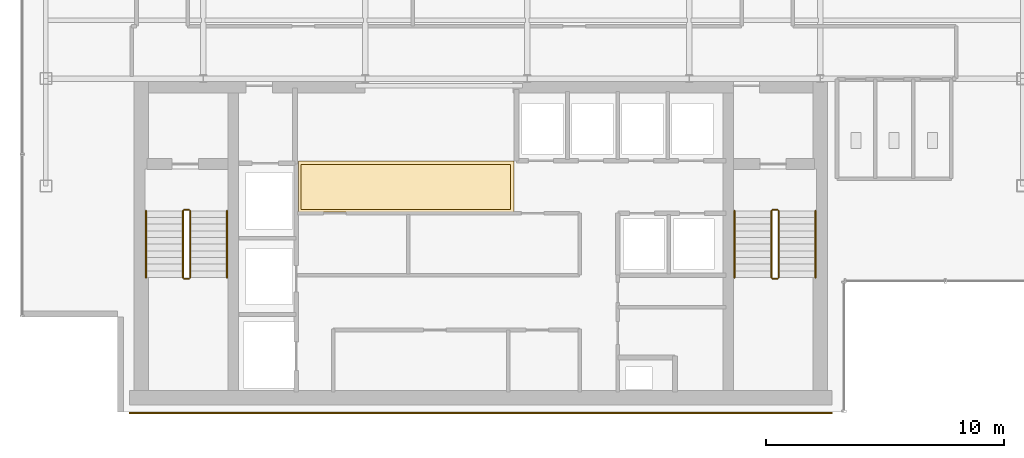
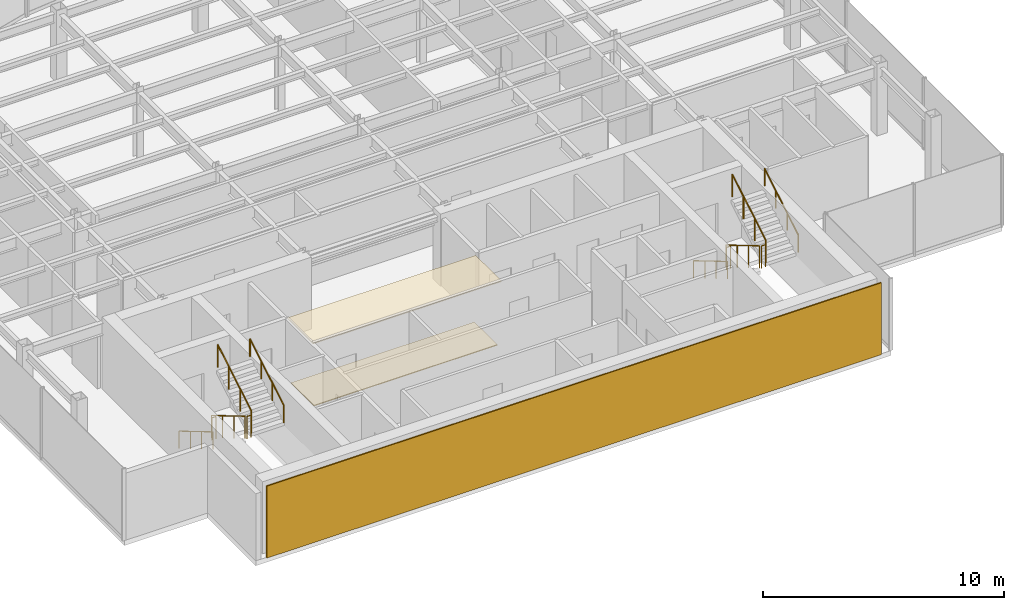
# One storey, part 20 of 22: 12 railings, 3 coverings.
"""IFC4 building model written with IfcOpenShell, lengths in metres."""

from ifc_helpers import new_model, si_unit, derived_unit, direction, frame, origin, origin_2d, place, context, subcontext, project, spatial, polyline, rectangle, circle, outline, extrude, source, transform, mapped, material, layer, layer_set, type_object, element, save


model = new_model("IFC4")

# Units and contexts
model_context = context("Model", 3, precision=1e-05, world=origin(), true_north=direction((0.0, 1.0)))
body_context = subcontext(model_context, "Body", "Model", "MODEL_VIEW")
ifc_project = project(units=[si_unit("LENGTHUNIT", "METRE"), si_unit("AREAUNIT", "SQUARE_METRE"), si_unit("VOLUMEUNIT", "CUBIC_METRE"), si_unit("PLANEANGLEUNIT", "RADIAN"), si_unit("MASSUNIT", "GRAM", prefix="KILO"), derived_unit("THERMALTRANSMITTANCEUNIT", [(si_unit("POWERUNIT", "WATT"), 1), (si_unit("LENGTHUNIT", "METRE"), -2), (si_unit("THERMODYNAMICTEMPERATUREUNIT", "KELVIN"), -1)])], contexts=[model_context])

# Site, building, storey
site_placement = place(None, origin())
site = spatial("IfcSite", under=ifc_project, at=site_placement, CompositionType="ELEMENT")
building_placement = place(site_placement, origin())
building = spatial("IfcBuilding", under=site, at=building_placement, Name="Skarnbrae Concourse Arena and Tower", CompositionType="ELEMENT")
storey_placement = place(building_placement, frame((0.0, 0.0, 262.449951171875)))
storey = spatial("IfcBuildingStorey", under=building, at=storey_placement, Name="L68", CompositionType="ELEMENT", Elevation=262.449951171875)

# Coverings
ifc_material_1 = material(Name="Mineral fibre acoustic ceiling tile", Category="other")
ifc_layer_1 = layer(ifc_material_1, 0.0400390625)
ifc_layer_set_1 = layer_set([ifc_layer_1], Name="Mineral fibre acoustic ceiling tile")
covering_type_1 = type_object("IfcCoveringType", Name="COV-CEIL-ACOUSTIC", PredefinedType="CEILING", material=ifc_layer_set_1)
covering_1_placement = place(storey_placement, frame((0.0, 0.0, 3.239990234375)))
element("IfcCovering", 1, at=covering_1_placement, inside=storey, type_object=covering_type_1, Name="L68 Lift lobby acoustic ceiling", PredefinedType="CEILING", context=body_context, shape_type="SweptSolid", body=[
    extrude(outline(polyline([(11.60009765625, 8.39990234375), (20.64990234375, 8.39990234375), (20.64990234375, 10.550048828125), (11.60009765625, 10.550048828125), (11.60009765625, 8.39990234375)])), origin(), (0.0, 0.0, 1.0), 0.0400390625),
])
ifc_material_2 = material(Name="Polished granite terrazzo flooring", Category="masonry")
ifc_layer_2 = layer(ifc_material_2, 0.0400390625)
ifc_layer_set_2 = layer_set([ifc_layer_2], Name="Polished granite terrazzo flooring")
covering_type_2 = type_object("IfcCoveringType", Name="COV-FLOOR-TERRAZZO", PredefinedType="FLOORING", material=ifc_layer_set_2)
covering_2_placement = place(storey_placement, origin())
element("IfcCovering", 2, at=covering_2_placement, inside=storey, type_object=covering_type_2, Name="L68 Lift lobby terrazzo flooring", PredefinedType="FLOORING", context=body_context, shape_type="SweptSolid", body=[
    extrude(outline(polyline([(11.699951171875, 8.5), (20.5, 8.5), (20.5, 10.39990234375), (11.699951171875, 10.39990234375), (11.699951171875, 8.5)])), origin(), (0.0, 0.0, 1.0), 0.0400390625),
])

# Railings
ifc_material_3 = material(Name="Steel CSA G40.21 350W", Category="steel")
railing_type_1 = type_object("IfcRailingType", Name="RAIL-HANDRAIL-900", PredefinedType="HANDRAIL", material=ifc_material_3)
railing_1_placement = place(storey_placement, frame((5.199951171875, 8.449951171875, 0.166015625)))
element("IfcRailing", 3, at=railing_1_placement, inside=storey, type_object=railing_type_1, Name="L68 ST-1 stair handrail 1", PredefinedType="HANDRAIL", context=body_context, shape_type="SweptSolid", body=[
    extrude(circle(Radius=0.02392578125, at=origin_2d()), frame((0.0, 0.0, 0.8759765625), z_axis=(0.0, -0.860339051648, 0.50972219513), x_axis=(1.0, 0.0, 0.0)), (0.0, 0.0, 1.0), 3.254638671875),
    extrude(circle(Radius=0.02099609375, at=origin_2d()), origin(), (0.0, 0.0, 1.0), 0.851806640625),
    extrude(circle(Radius=0.02099609375, at=origin_2d()), frame((0.0, -0.933349609375, 0.552978515625)), (0.0, 0.0, 1.0), 0.851806640625),
    extrude(circle(Radius=0.02099609375, at=origin_2d()), frame((0.0, -1.86669921875, 1.10595703125)), (0.0, 0.0, 1.0), 0.851806640625),
    extrude(circle(Radius=0.02099609375, at=origin_2d()), frame((0.0, -2.800048828125, 1.658935546875)), (0.0, 0.0, 1.0), 0.851806640625),
])
railing_2_placement = place(storey_placement, frame((8.60009765625, 5.64990234375, 1.990966796875)))
element("IfcRailing", 4, at=railing_2_placement, inside=storey, type_object=railing_type_1, Name="L68 ST-1 stair handrail 2", PredefinedType="HANDRAIL", context=body_context, shape_type="SweptSolid", body=[
    extrude(circle(Radius=0.02392578125, at=origin_2d()), frame((0.0, 0.0, 0.8759765625), z_axis=(0.0, 0.860306154799, 0.50977771628), x_axis=(-1.0, 0.0, 0.0)), (0.0, 0.0, 1.0), 3.254638671875),
    extrude(circle(Radius=0.02099609375, at=origin_2d()), origin(), (0.0, 0.0, 1.0), 0.851806640625),
    extrude(circle(Radius=0.02099609375, at=origin_2d()), frame((0.0, 0.933349609375, 0.552978515625)), (0.0, 0.0, 1.0), 0.851806640625),
    extrude(circle(Radius=0.02099609375, at=origin_2d()), frame((0.0, 1.86669921875, 1.106201171875)), (0.0, 0.0, 1.0), 0.851806640625),
    extrude(circle(Radius=0.02099609375, at=origin_2d()), frame((0.0, 2.800048828125, 1.6591796875)), (0.0, 0.0, 1.0), 0.851806640625),
])
railing_3_placement = place(storey_placement, frame((29.89990234375, 8.449951171875, 0.166015625)))
element("IfcRailing", 5, at=railing_3_placement, inside=storey, type_object=railing_type_1, Name="L68 ST-2 stair handrail 1", PredefinedType="HANDRAIL", context=body_context, shape_type="SweptSolid", body=[
    extrude(circle(Radius=0.02392578125, at=origin_2d()), frame((0.0, 0.0, 0.8759765625), z_axis=(0.0, -0.860339051648, 0.50972219513), x_axis=(1.0, 0.0, 0.0)), (0.0, 0.0, 1.0), 3.254638671875),
    extrude(circle(Radius=0.02099609375, at=origin_2d()), origin(), (0.0, 0.0, 1.0), 0.851806640625),
    extrude(circle(Radius=0.02099609375, at=origin_2d()), frame((0.0, -0.933349609375, 0.552978515625)), (0.0, 0.0, 1.0), 0.851806640625),
    extrude(circle(Radius=0.02099609375, at=origin_2d()), frame((0.0, -1.86669921875, 1.10595703125)), (0.0, 0.0, 1.0), 0.851806640625),
    extrude(circle(Radius=0.02099609375, at=origin_2d()), frame((0.0, -2.800048828125, 1.658935546875)), (0.0, 0.0, 1.0), 0.851806640625),
])
railing_4_placement = place(storey_placement, frame((33.300048828125, 5.64990234375, 1.990966796875)))
element("IfcRailing", 6, at=railing_4_placement, inside=storey, type_object=railing_type_1, Name="L68 ST-2 stair handrail 2", PredefinedType="HANDRAIL", context=body_context, shape_type="SweptSolid", body=[
    extrude(circle(Radius=0.02392578125, at=origin_2d()), frame((0.0, 0.0, 0.8759765625), z_axis=(0.0, 0.860306154799, 0.50977771628), x_axis=(-1.0, 0.0, 0.0)), (0.0, 0.0, 1.0), 3.254638671875),
    extrude(circle(Radius=0.02099609375, at=origin_2d()), origin(), (0.0, 0.0, 1.0), 0.851806640625),
    extrude(circle(Radius=0.02099609375, at=origin_2d()), frame((0.0, 0.933349609375, 0.552978515625)), (0.0, 0.0, 1.0), 0.851806640625),
    extrude(circle(Radius=0.02099609375, at=origin_2d()), frame((0.0, 1.86669921875, 1.106201171875)), (0.0, 0.0, 1.0), 0.851806640625),
    extrude(circle(Radius=0.02099609375, at=origin_2d()), frame((0.0, 2.800048828125, 1.6591796875)), (0.0, 0.0, 1.0), 0.851806640625),
])
railing_type_2 = type_object("IfcRailingType", Name="RAIL-STAIR-GUARD-1150", PredefinedType="GUARDRAIL", material=ifc_material_3)
railing_5_placement = place(storey_placement, frame((6.75, 8.449951171875, 0.166015625)))
element("IfcRailing", 7, at=railing_5_placement, inside=storey, type_object=railing_type_2, Name="L68 ST-1 stair guard 1", PredefinedType="GUARDRAIL", context=body_context, shape_type="SweptSolid", body=[
    extrude(circle(Radius=0.02392578125, at=origin_2d()), frame((0.0, 0.0, 1.1259765625), z_axis=(0.0, -0.860339051648, 0.50972219513), x_axis=(1.0, 0.0, 0.0)), (0.0, 0.0, 1.0), 3.254638671875),
    extrude(circle(Radius=0.02099609375, at=origin_2d()), origin(), (0.0, 0.0, 1.0), 1.101806640625),
    extrude(circle(Radius=0.02099609375, at=origin_2d()), frame((0.0, -0.933349609375, 0.552978515625)), (0.0, 0.0, 1.0), 1.101806640625),
    extrude(circle(Radius=0.02099609375, at=origin_2d()), frame((0.0, -1.86669921875, 1.10595703125)), (0.0, 0.0, 1.0), 1.101806640625),
    extrude(circle(Radius=0.02099609375, at=origin_2d()), frame((0.0, -2.800048828125, 1.658935546875)), (0.0, 0.0, 1.0), 1.101806640625),
])
railing_6_placement = place(storey_placement, frame((6.800048828125, 5.60009765625, 1.824951171875)))
element("IfcRailing", 8, at=railing_6_placement, inside=storey, type_object=railing_type_2, Name="L68 ST-1 stair guard 2", PredefinedType="GUARDRAIL", context=body_context, shape_type="SweptSolid", body=[
    extrude(circle(Radius=0.02392578125, at=origin_2d()), frame((0.0, 0.0, 1.1259765625), z_axis=(1.0, 0.0, 0.0), x_axis=(0.0, 1.0, 0.0)), (0.0, 0.0, 1.0), 0.199951171875),
    extrude(circle(Radius=0.02099609375, at=origin_2d()), origin(), (0.0, 0.0, 1.0), 1.101806640625),
    extrude(circle(Radius=0.02099609375, at=origin_2d()), frame((0.199951171875, 0.0, 0.0)), (0.0, 0.0, 1.0), 1.101806640625),
])
railing_7_placement = place(storey_placement, frame((7.050048828125, 5.64990234375, 1.990966796875)))
element("IfcRailing", 9, at=railing_7_placement, inside=storey, type_object=railing_type_2, Name="L68 ST-1 stair guard 3", PredefinedType="GUARDRAIL", context=body_context, shape_type="SweptSolid", body=[
    extrude(circle(Radius=0.02392578125, at=origin_2d()), frame((0.0, 0.0, 1.1259765625), z_axis=(0.0, 0.860306154799, 0.50977771628), x_axis=(-1.0, 0.0, 0.0)), (0.0, 0.0, 1.0), 3.254638671875),
    extrude(circle(Radius=0.02099609375, at=origin_2d()), origin(), (0.0, 0.0, 1.0), 1.101806640625),
    extrude(circle(Radius=0.02099609375, at=origin_2d()), frame((0.0, 0.933349609375, 0.552978515625)), (0.0, 0.0, 1.0), 1.101806640625),
    extrude(circle(Radius=0.02099609375, at=origin_2d()), frame((0.0, 1.86669921875, 1.106201171875)), (0.0, 0.0, 1.0), 1.101806640625),
    extrude(circle(Radius=0.02099609375, at=origin_2d()), frame((0.0, 2.800048828125, 1.6591796875)), (0.0, 0.0, 1.0), 1.101806640625),
])
railing_8_placement = place(storey_placement, frame((6.800048828125, 8.5, 0.0)))
element("IfcRailing", 10, at=railing_8_placement, inside=storey, type_object=railing_type_2, Name="L68 ST-1 stair guard 4", PredefinedType="GUARDRAIL", context=body_context, shape_type="SweptSolid", body=[
    extrude(circle(Radius=0.02392578125, at=origin_2d()), frame((0.0, 0.0, 1.1259765625), z_axis=(1.0, 0.0, 0.0), x_axis=(0.0, 1.0, 0.0)), (0.0, 0.0, 1.0), 0.199951171875),
    extrude(circle(Radius=0.02099609375, at=origin_2d()), origin(), (0.0, 0.0, 1.0), 1.101806640625),
    extrude(circle(Radius=0.02099609375, at=origin_2d()), frame((0.199951171875, 0.0, 0.0)), (0.0, 0.0, 1.0), 1.101806640625),
])
railing_9_placement = place(storey_placement, frame((31.449951171875, 8.449951171875, 0.166015625)))
element("IfcRailing", 11, at=railing_9_placement, inside=storey, type_object=railing_type_2, Name="L68 ST-2 stair guard 1", PredefinedType="GUARDRAIL", context=body_context, shape_type="SweptSolid", body=[
    extrude(circle(Radius=0.02392578125, at=origin_2d()), frame((0.0, 0.0, 1.1259765625), z_axis=(0.0, -0.860339051648, 0.50972219513), x_axis=(1.0, 0.0, 0.0)), (0.0, 0.0, 1.0), 3.254638671875),
    extrude(circle(Radius=0.02099609375, at=origin_2d()), origin(), (0.0, 0.0, 1.0), 1.101806640625),
    extrude(circle(Radius=0.02099609375, at=origin_2d()), frame((0.0, -0.933349609375, 0.552978515625)), (0.0, 0.0, 1.0), 1.101806640625),
    extrude(circle(Radius=0.02099609375, at=origin_2d()), frame((0.0, -1.86669921875, 1.10595703125)), (0.0, 0.0, 1.0), 1.101806640625),
    extrude(circle(Radius=0.02099609375, at=origin_2d()), frame((0.0, -2.800048828125, 1.658935546875)), (0.0, 0.0, 1.0), 1.101806640625),
])
railing_10_placement = place(storey_placement, frame((31.5, 5.60009765625, 1.824951171875)))
element("IfcRailing", 12, at=railing_10_placement, inside=storey, type_object=railing_type_2, Name="L68 ST-2 stair guard 2", PredefinedType="GUARDRAIL", context=body_context, shape_type="SweptSolid", body=[
    extrude(circle(Radius=0.02392578125, at=origin_2d()), frame((0.0, 0.0, 1.1259765625), z_axis=(1.0, 0.0, 0.0), x_axis=(0.0, 1.0, 0.0)), (0.0, 0.0, 1.0), 0.199951171875),
    extrude(circle(Radius=0.02099609375, at=origin_2d()), origin(), (0.0, 0.0, 1.0), 1.101806640625),
    extrude(circle(Radius=0.02099609375, at=origin_2d()), frame((0.199951171875, 0.0, 0.0)), (0.0, 0.0, 1.0), 1.101806640625),
])
railing_11_placement = place(storey_placement, frame((31.75, 5.64990234375, 1.990966796875)))
element("IfcRailing", 13, at=railing_11_placement, inside=storey, type_object=railing_type_2, Name="L68 ST-2 stair guard 3", PredefinedType="GUARDRAIL", context=body_context, shape_type="SweptSolid", body=[
    extrude(circle(Radius=0.02392578125, at=origin_2d()), frame((0.0, 0.0, 1.1259765625), z_axis=(0.0, 0.860306154799, 0.50977771628), x_axis=(-1.0, 0.0, 0.0)), (0.0, 0.0, 1.0), 3.254638671875),
    extrude(circle(Radius=0.02099609375, at=origin_2d()), origin(), (0.0, 0.0, 1.0), 1.101806640625),
    extrude(circle(Radius=0.02099609375, at=origin_2d()), frame((0.0, 0.933349609375, 0.552978515625)), (0.0, 0.0, 1.0), 1.101806640625),
    extrude(circle(Radius=0.02099609375, at=origin_2d()), frame((0.0, 1.86669921875, 1.106201171875)), (0.0, 0.0, 1.0), 1.101806640625),
    extrude(circle(Radius=0.02099609375, at=origin_2d()), frame((0.0, 2.800048828125, 1.6591796875)), (0.0, 0.0, 1.0), 1.101806640625),
])
railing_12_placement = place(storey_placement, frame((31.5, 8.5, 0.0)))
element("IfcRailing", 14, at=railing_12_placement, inside=storey, type_object=railing_type_2, Name="L68 ST-2 stair guard 4", PredefinedType="GUARDRAIL", context=body_context, shape_type="SweptSolid", body=[
    extrude(circle(Radius=0.02392578125, at=origin_2d()), frame((0.0, 0.0, 1.1259765625), z_axis=(1.0, 0.0, 0.0), x_axis=(0.0, 1.0, 0.0)), (0.0, 0.0, 1.0), 0.199951171875),
    extrude(circle(Radius=0.02099609375, at=origin_2d()), origin(), (0.0, 0.0, 1.0), 1.101806640625),
    extrude(circle(Radius=0.02099609375, at=origin_2d()), frame((0.199951171875, 0.0, 0.0)), (0.0, 0.0, 1.0), 1.101806640625),
])

# Covering
ifc_material_4 = material(Name="Bronze anodised aluminium 6063-T6", Category="aluminium")
ifc_layer_3 = layer(ifc_material_4, 0.06005859375)
ifc_layer_set_3 = layer_set([ifc_layer_3], Name="Bronze anodised aluminium 6063-T6")
covering_type_3 = type_object("IfcCoveringType", Name="COV-CLAD-BRONZE-60", PredefinedType="CLADDING", material=ifc_layer_set_3)
shared_shape = source(origin(), body_context, "Body", "SweptSolid", [
    extrude(rectangle(XDim=29.5, YDim=0.06005859375, at=origin_2d()), origin(), (0.0, 0.0, 1.0), 3.64990234375),
])
covering_3_placement = place(storey_placement, frame((19.25, -0.030029296875, 0.0), z_axis=(0.0, 0.0, 1.0), x_axis=(1.0, 0.0, 0.0)))
element("IfcCovering", 15, at=covering_3_placement, inside=storey, type_object=covering_type_3, Name="L68 Rear-core plumb spine bronze rainscreen panel", PredefinedType="CLADDING", context=body_context, shape_type="MappedRepresentation", body=[
    mapped(shared_shape, transform((0.0, 0.0, 0.0))),
])

save(model, "model.ifc")
